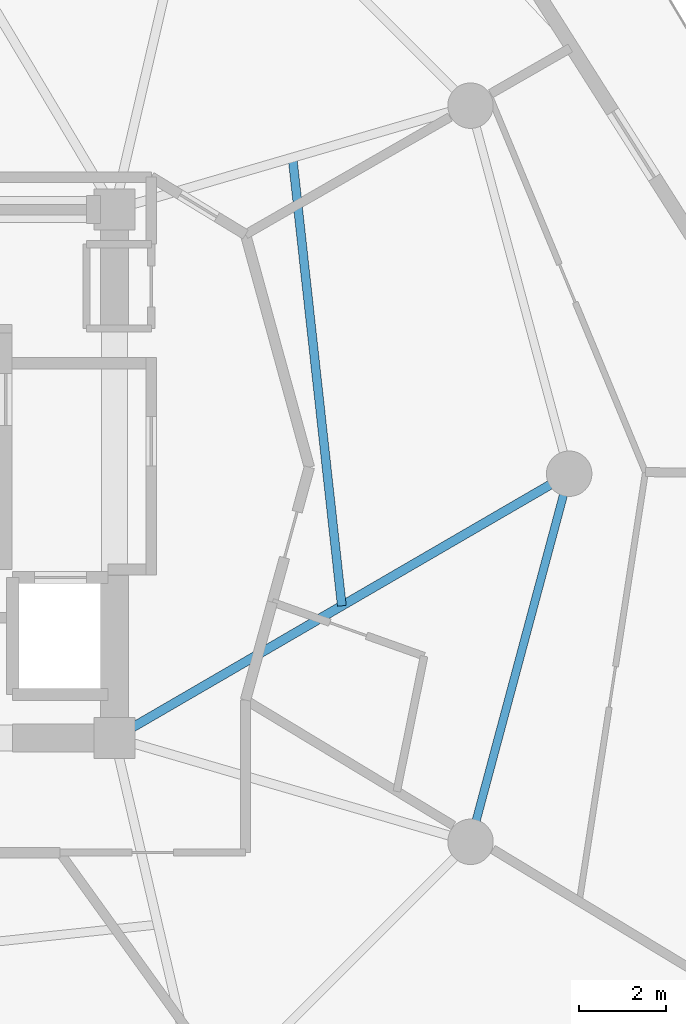
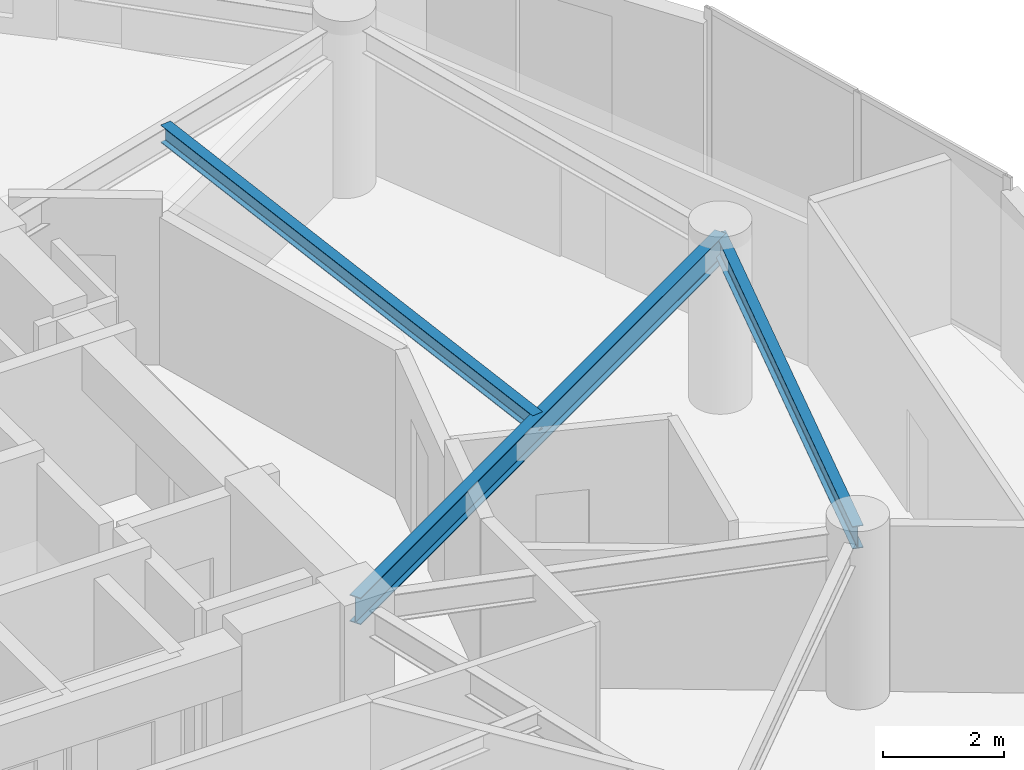
# One storey, part 12 of 25: 3 beams.
"""IFC4 building model written with IfcOpenShell, lengths in metres."""

from ifc_helpers import new_model, si_unit, direction, frame, origin, origin_2d, place, context, subcontext, project, spatial, i_section, extrude, material, material_profile, profile_set, type_object, element, save


model = new_model("IFC4")

# Units and contexts
model_context = context("Model", 3, precision=1e-05, world=origin(), true_north=direction((0.0, 1.0)))
body_context = subcontext(model_context, "Body", "Model", "MODEL_VIEW")
ifc_project = project(units=[si_unit("LENGTHUNIT", "METRE"), si_unit("AREAUNIT", "SQUARE_METRE"), si_unit("VOLUMEUNIT", "CUBIC_METRE"), si_unit("PLANEANGLEUNIT", "RADIAN"), si_unit("MASSUNIT", "GRAM", prefix="KILO")], contexts=[model_context])

# Site, building, storey
site_placement = place(None, origin())
site = spatial("IfcSite", under=ifc_project, at=site_placement, CompositionType="ELEMENT")
building_placement = place(site_placement, origin())
building = spatial("IfcBuilding", under=site, at=building_placement, Name="Solvirekh Grand Hotel", CompositionType="ELEMENT")
storey_placement = place(building_placement, frame((0.0, 0.0, 117.0)))
storey = spatial("IfcBuildingStorey", under=building, at=storey_placement, Name="L29", CompositionType="ELEMENT", Elevation=117.0)

# Beams
ifc_material = material(Name="Steel S355", Category="steel")
ifc_material_profile_1 = material_profile(ifc_material, i_section(OverallWidth=0.2119140625, OverallDepth=0.5439453125, WebThickness=0.011962890625, FlangeThickness=0.01904296875, FilletRadius=0.013916015625, at=origin_2d()), Name="W530X123")
ifc_profile_set_1 = profile_set([ifc_material_profile_1], Name="Steel S355")
beam_type_1 = type_object("IfcBeamType", Name="Beam_Radial_W530H", PredefinedType="BEAM", material=ifc_profile_set_1)
beam_1_placement = place(storey_placement, frame((6.5, -6.10009765625, 3.077880859375), z_axis=(0.864670076815, 0.50234018181, 0.0), x_axis=(-0.50234018181, 0.864670076815, 0.0)))
element("IfcBeam", 1, at=beam_1_placement, inside=storey, type_object=beam_type_1, Name="L29 radial floor beam R01", PredefinedType="BEAM", context=body_context, shape_type="SweptSolid", body=[
    extrude(i_section(OverallWidth=0.2119140625, OverallDepth=0.5439453125, WebThickness=0.011962890625, FlangeThickness=0.01904296875, FilletRadius=0.013916015625, at=origin_2d()), origin(), (0.0, 0.0, 1.0), 12.143310546875),
])
ifc_material_profile_2 = material_profile(ifc_material, i_section(OverallWidth=0.2041015625, OverallDepth=0.35009765625, WebThickness=0.009033203125, FlangeThickness=0.014892578125, FilletRadius=0.010986328125, at=origin_2d()), Name="W360X72")
ifc_profile_set_2 = profile_set([ifc_material_profile_2], Name="Steel S355")
beam_type_2 = type_object("IfcBeamType", Name="Joist_Floor_W360", PredefinedType="JOIST", material=ifc_profile_set_2)
beam_2_placement = place(storey_placement, frame((11.75, -3.050048828125, 3.175048828125), z_axis=(-0.109378935301, 0.994000125006, 0.0), x_axis=(-0.994000125006, -0.109378935301, 0.0)))
element("IfcBeam", 2, at=beam_2_placement, inside=storey, type_object=beam_type_2, Name="L29 secondary composite floor joist 1", PredefinedType="JOIST", context=body_context, shape_type="SweptSolid", body=[
    extrude(i_section(OverallWidth=0.2041015625, OverallDepth=0.35009765625, WebThickness=0.009033203125, FlangeThickness=0.014892578125, FilletRadius=0.010986328125, at=origin_2d()), origin(), (0.0, 0.0, 1.0), 10.41259765625),
])
ifc_material_profile_3 = material_profile(ifc_material, i_section(OverallWidth=0.18994140625, OverallDepth=0.45703125, WebThickness=0.009033203125, FlangeThickness=0.013916015625, FilletRadius=0.012939453125, at=origin_2d()), Name="W460X74")
ifc_profile_set_3 = profile_set([ifc_material_profile_3], Name="Steel S355")
beam_type_3 = type_object("IfcBeamType", Name="Spandrel_Ring_W460", PredefinedType="SPANDREL", material=ifc_profile_set_3)
beam_3_placement = place(storey_placement, frame((14.721923828125, -8.5, 3.12109375), z_axis=(0.258872908946, 0.965911391906, 0.0), x_axis=(-0.965911391906, 0.258872908946, 0.0)))
element("IfcBeam", 3, at=beam_3_placement, inside=storey, type_object=beam_type_3, Name="L29 perimeter spandrel beam 12", PredefinedType="SPANDREL", context=body_context, shape_type="SweptSolid", body=[
    extrude(i_section(OverallWidth=0.18994140625, OverallDepth=0.45703125, WebThickness=0.009033203125, FlangeThickness=0.013916015625, FilletRadius=0.012939453125, at=origin_2d()), origin(), (0.0, 0.0, 1.0), 8.800048828125),
])

save(model, "model.ifc")
